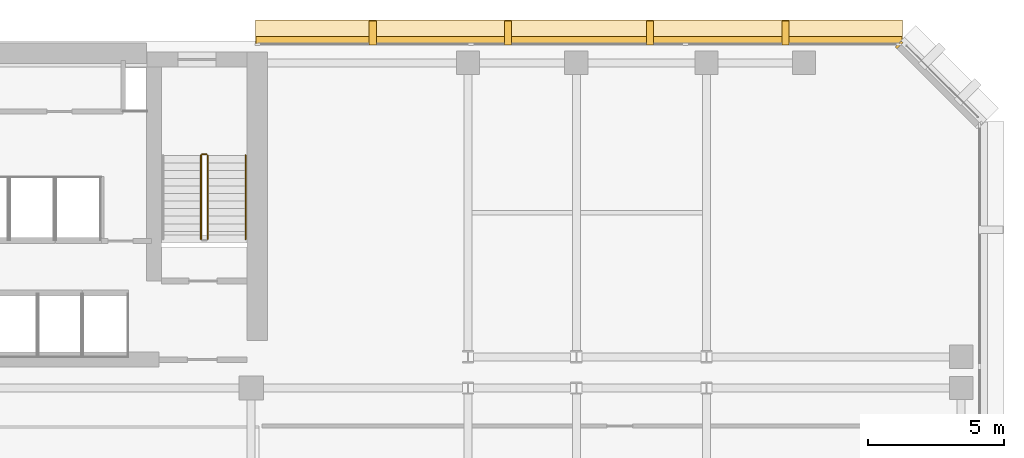
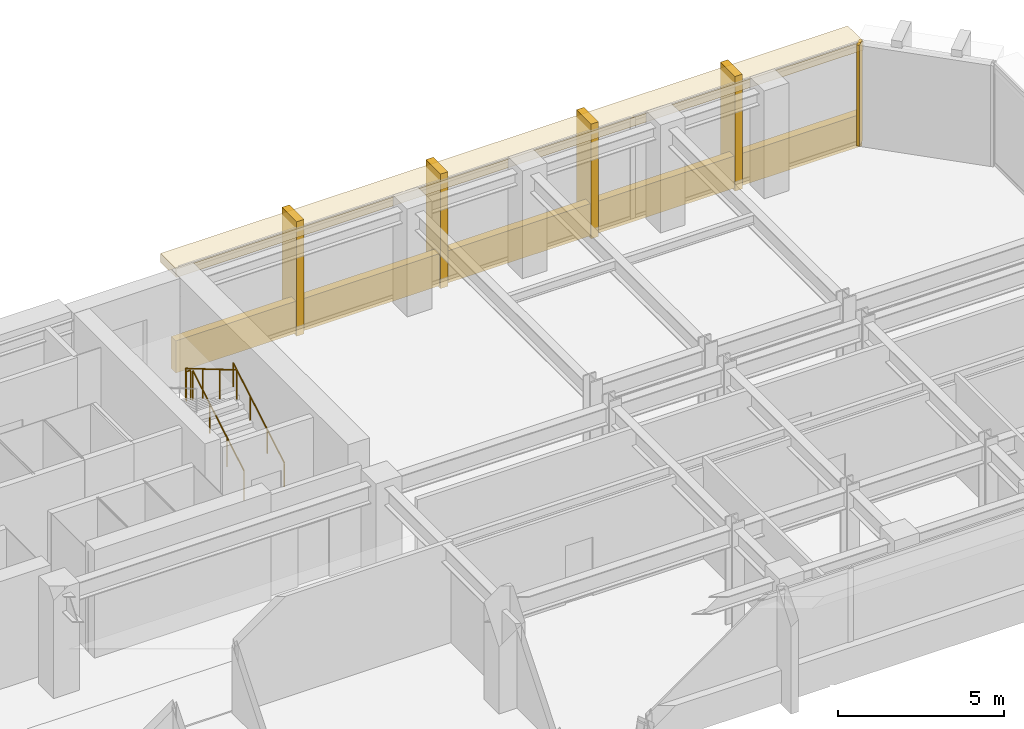
# One storey, part 11 of 12: 7 coverings, 4 railings.
"""IFC4 building model written with IfcOpenShell, lengths in metres."""

from ifc_helpers import new_model, si_unit, direction, frame, origin, origin_2d, place, context, subcontext, project, spatial, rectangle, circle, extrude, material, layer, layer_set, type_object, element, save


model = new_model("IFC4")

# Units and contexts
model_context = context("Model", 3, precision=1e-05, world=origin(), true_north=direction((0.0, 1.0)))
body_context = subcontext(model_context, "Body", "Model", "MODEL_VIEW")
ifc_project = project(units=[si_unit("LENGTHUNIT", "METRE"), si_unit("AREAUNIT", "SQUARE_METRE"), si_unit("VOLUMEUNIT", "CUBIC_METRE"), si_unit("PLANEANGLEUNIT", "RADIAN"), si_unit("MASSUNIT", "GRAM", prefix="KILO")], contexts=[model_context])

# Site, building, storey
site_placement = place(None, origin())
site = spatial("IfcSite", under=ifc_project, at=site_placement, CompositionType="ELEMENT")
building_placement = place(site_placement, origin())
building = spatial("IfcBuilding", under=site, at=building_placement, Name="Kefirva Bronze Tower", CompositionType="ELEMENT")
storey_placement = place(building_placement, frame((0.0, 0.0, 114.510009765625)))
storey = spatial("IfcBuildingStorey", under=building, at=storey_placement, Name="L27", CompositionType="ELEMENT", Elevation=114.510009765625)

# Coverings
ifc_material_1 = material(Name="Bronze anodised aluminium", Category="aluminium")
ifc_layer_1 = layer(ifc_material_1, 0.02001953125, Name="Bronze anodised aluminium")
ifc_layer_set_1 = layer_set([ifc_layer_1], Name="Bronze anodised aluminium")
covering_type_1 = type_object("IfcCoveringType", Name="Anodised Bronze Spandrel Cladding 20mm", PredefinedType="CLADDING", material=ifc_layer_set_1)
covering_1_placement = place(storey_placement, frame((47.11181640625, 45.862060546875, 0.0), z_axis=(0.0, 0.0, 1.0), x_axis=(-0.707106781187, 0.707106781187, 0.0)))
element("IfcCovering", 1, at=covering_1_placement, inside=storey, type_object=covering_type_1, Name="L27 Facade Joint Closure Panel 4E", PredefinedType="CLADDING", context=body_context, shape_type="SweptSolid", body=[
    extrude(rectangle(XDim=0.10009765625, YDim=0.320068359375, at=origin_2d()), origin(), (0.0, 0.0, 1.0), 3.7099609375),
])
covering_2_placement = place(storey_placement, frame((35.302490234375, 46.0400390625, -0.16015625), z_axis=(0.0, 0.0, 1.0), x_axis=(-1.0, 0.0, 0.0)))
element("IfcCovering", 2, at=covering_2_placement, inside=storey, type_object=covering_type_1, Name="L27 Streamline Horizontal Spandrel Band 8", PredefinedType="CLADDING", context=body_context, shape_type="SweptSolid", body=[
    extrude(rectangle(XDim=23.8349609375, YDim=0.280029296875, at=origin_2d()), origin(), (0.0, 0.0, 1.0), 1.179931640625),
])

# Railings
ifc_material_2 = material(Name="Stainless steel 316", Category="steel")
railing_type_1 = type_object("IfcRailingType", Name="Interior Stair Guardrail 1100mm", PredefinedType="GUARDRAIL", material=ifc_material_2)
railing_1_placement = place(storey_placement, frame((21.60009765625, 38.699951171875, 0.1650390625)))
element("IfcRailing", 3, at=railing_1_placement, inside=storey, type_object=railing_type_1, Name="L27 ST-2 stair guard 1", PredefinedType="GUARDRAIL", context=body_context, shape_type="SweptSolid", body=[
    extrude(circle(Radius=0.02392578125, at=origin_2d()), frame((0.0, 0.0, 1.076171875), z_axis=(0.0, 0.861551262678, 0.507670583921), x_axis=(-1.0, 0.0, 0.0)), (0.0, 0.0, 1.0), 3.574951171875),
    extrude(circle(Radius=0.02099609375, at=origin_2d()), origin(), (0.0, 0.0, 1.0), 1.052001953125),
    extrude(circle(Radius=0.02099609375, at=origin_2d()), frame((0.0, 1.026611328125, 0.60498046875)), (0.0, 0.0, 1.0), 1.052001953125),
    extrude(circle(Radius=0.02099609375, at=origin_2d()), frame((0.0, 2.053466796875, 1.2099609375)), (0.0, 0.0, 1.0), 1.052001953125),
    extrude(circle(Radius=0.02099609375, at=origin_2d()), frame((0.0, 3.080078125, 1.81494140625)), (0.0, 0.0, 1.0), 1.052001953125),
])
railing_2_placement = place(storey_placement, frame((21.550048828125, 41.830078125, 1.97998046875)))
element("IfcRailing", 4, at=railing_2_placement, inside=storey, type_object=railing_type_1, Name="L27 ST-2 stair guard 2", PredefinedType="GUARDRAIL", context=body_context, shape_type="SweptSolid", body=[
    extrude(circle(Radius=0.02392578125, at=origin_2d()), frame((0.0, 0.0, 1.076171875), z_axis=(-1.0, 0.0, 0.0), x_axis=(0.0, -1.0, 0.0)), (0.0, 0.0, 1.0), 0.150146484375),
    extrude(circle(Radius=0.02099609375, at=origin_2d()), origin(), (0.0, 0.0, 1.0), 1.052001953125),
    extrude(circle(Radius=0.02099609375, at=origin_2d()), frame((-0.150146484375, 0.0, 0.0)), (0.0, 0.0, 1.0), 1.052001953125),
])
railing_3_placement = place(storey_placement, frame((21.35009765625, 41.780029296875, 2.14501953125)))
element("IfcRailing", 5, at=railing_3_placement, inside=storey, type_object=railing_type_1, Name="L27 ST-2 stair guard 3", PredefinedType="GUARDRAIL", context=body_context, shape_type="SweptSolid", body=[
    extrude(circle(Radius=0.02392578125, at=origin_2d()), frame((0.0, 0.0, 1.076171875), z_axis=(0.0, -0.861551262678, 0.507670583921), x_axis=(1.0, 0.0, 0.0)), (0.0, 0.0, 1.0), 3.574951171875),
    extrude(circle(Radius=0.02099609375, at=origin_2d()), origin(), (0.0, 0.0, 1.0), 1.052001953125),
    extrude(circle(Radius=0.02099609375, at=origin_2d()), frame((0.0, -1.026611328125, 0.60498046875)), (0.0, 0.0, 1.0), 1.052001953125),
    extrude(circle(Radius=0.02099609375, at=origin_2d()), frame((0.0, -2.053466796875, 1.2099609375)), (0.0, 0.0, 1.0), 1.052001953125),
    extrude(circle(Radius=0.02099609375, at=origin_2d()), frame((0.0, -3.080078125, 1.81494140625)), (0.0, 0.0, 1.0), 1.052001953125),
])
railing_type_2 = type_object("IfcRailingType", Name="Stair Pitch Handrail 900mm", PredefinedType="HANDRAIL", material=ifc_material_2)
railing_4_placement = place(storey_placement, frame((23.0, 38.699951171875, 0.1650390625)))
element("IfcRailing", 6, at=railing_4_placement, inside=storey, type_object=railing_type_2, Name="L27 ST-2 stair handrail 1", PredefinedType="HANDRAIL", context=body_context, shape_type="SweptSolid", body=[
    extrude(circle(Radius=0.02392578125, at=origin_2d()), frame((0.0, 0.0, 0.8759765625), z_axis=(0.0, 0.861551262678, 0.507670583921), x_axis=(-1.0, 0.0, 0.0)), (0.0, 0.0, 1.0), 3.574951171875),
    extrude(circle(Radius=0.02099609375, at=origin_2d()), origin(), (0.0, 0.0, 1.0), 0.851806640625),
    extrude(circle(Radius=0.02099609375, at=origin_2d()), frame((0.0, 1.026611328125, 0.60498046875)), (0.0, 0.0, 1.0), 0.851806640625),
    extrude(circle(Radius=0.02099609375, at=origin_2d()), frame((0.0, 2.053466796875, 1.2099609375)), (0.0, 0.0, 1.0), 0.851806640625),
    extrude(circle(Radius=0.02099609375, at=origin_2d()), frame((0.0, 3.080078125, 1.81494140625)), (0.0, 0.0, 1.0), 0.851806640625),
])

# Coverings
ifc_layer_2 = layer(ifc_material_1, 0.179931640625, Name="Bronze anodised aluminium")
ifc_layer_set_2 = layer_set([ifc_layer_2], Name="Bronze anodised aluminium")
covering_type_2 = type_object("IfcCoveringType", Name="Streamline Bronze Sunshade Eyebrow Cladding 180mm", PredefinedType="CLADDING", material=ifc_layer_set_2)
covering_3_placement = place(storey_placement, frame((35.302490234375, 46.31005859375, 3.39013671875), z_axis=(0.0, 0.0, 1.0), x_axis=(-1.0, 0.0, 0.0)))
element("IfcCovering", 7, at=covering_3_placement, inside=storey, type_object=covering_type_2, Name="L27 Streamline Bronze Sunshade Eyebrow 8", PredefinedType="CLADDING", context=body_context, shape_type="SweptSolid", body=[
    extrude(rectangle(XDim=23.875, YDim=0.93994140625, at=origin_2d()), origin(), (0.0, 0.0, 1.0), 0.320068359375),
])
ifc_layer_3 = layer(ifc_material_1, 0.260009765625, Name="Bronze anodised aluminium")
ifc_layer_set_3 = layer_set([ifc_layer_3], Name="Bronze anodised aluminium")
covering_type_3 = type_object("IfcCoveringType", Name="Unbroken Bronze Buttress Fin Cladding 260mm", PredefinedType="CLADDING", material=ifc_layer_set_3)
for number, where, z_axis, x_axis, name in (
    (8, (42.9169921875, 46.300048828125, -0.25), (0.0, 0.0, 1.0), (-1.0, 0.0, 0.0), "L27 Unbroken Vertical Bronze Rib Fin 17"),
    (9, (37.919921875, 46.300048828125, -0.25), (0.0, 0.0, 1.0), (-1.0, 0.0, 0.0), "L27 Unbroken Vertical Bronze Rib Fin 18"),
    (10, (32.68505859375, 46.300048828125, -0.25), (0.0, 0.0, 1.0), (-1.0, 0.0, 0.0), "L27 Unbroken Vertical Bronze Rib Fin 19"),
    (11, (27.68798828125, 46.300048828125, -0.25), (0.0, 0.0, 1.0), (-1.0, 0.0, 0.0), "L27 Unbroken Vertical Bronze Rib Fin 20"),
):
    element("IfcCovering", number, at=place(storey_placement, frame(where, z_axis=z_axis, x_axis=x_axis)), inside=storey, type_object=covering_type_3, Name=name, PredefinedType="CLADDING", context=body_context, shape_type="SweptSolid", body=[
        extrude(rectangle(XDim=0.260009765625, YDim=0.8798828125, at=origin_2d()), origin(), (0.0, 0.0, 1.0), 4.2099609375),
    ])

save(model, "model.ifc")
